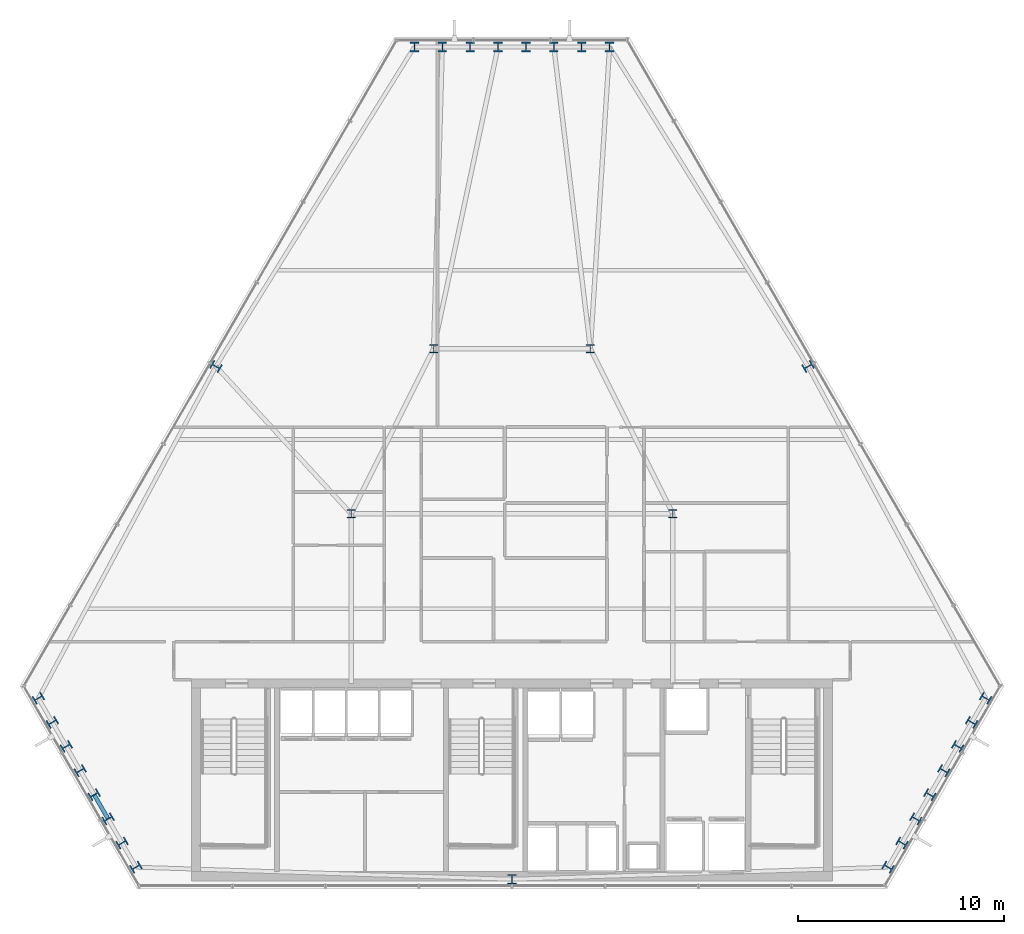
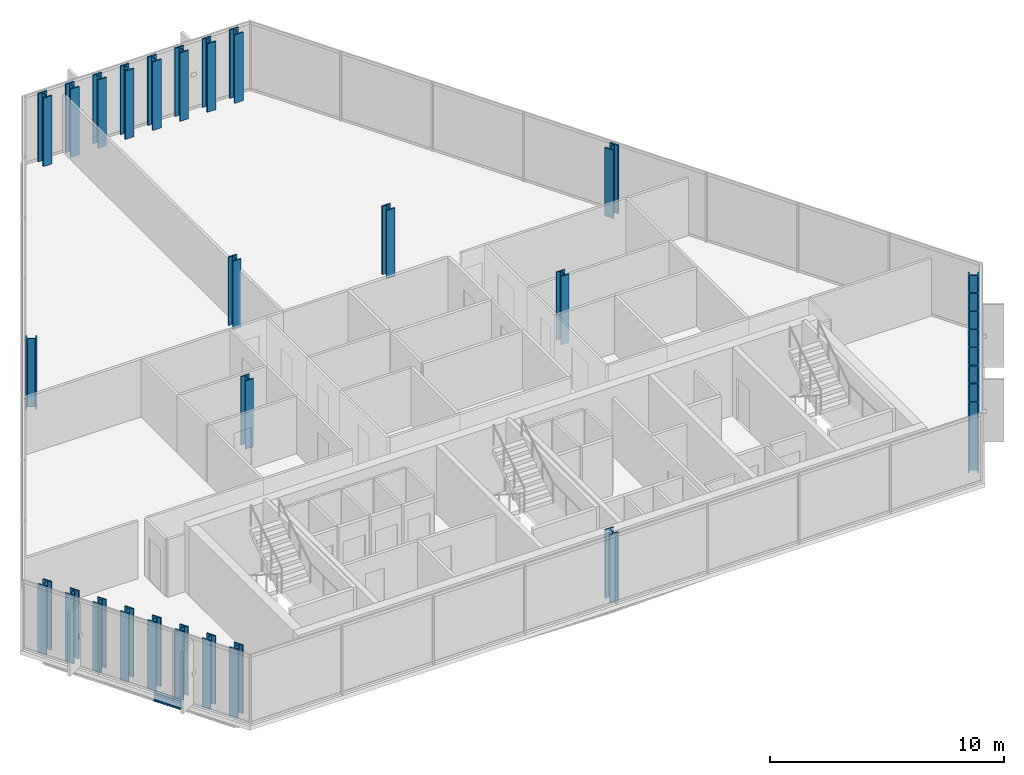
# One storey, part 1 of 33: 31 columns, 1 beam.
"""IFC4 building model written with IfcOpenShell, lengths in metres."""

from ifc_helpers import new_model, si_unit, direction, frame, origin, origin_2d, place, context, subcontext, project, spatial, i_section, extrude, material, material_profile, profile_set, type_object, element, save


model = new_model("IFC4")

# Units and contexts
model_context = context("Model", 3, precision=1e-05, world=origin(), true_north=direction((0.0, 1.0)))
body_context = subcontext(model_context, "Body", "Model", "MODEL_VIEW")
ifc_project = project(units=[si_unit("LENGTHUNIT", "METRE"), si_unit("AREAUNIT", "SQUARE_METRE"), si_unit("VOLUMEUNIT", "CUBIC_METRE"), si_unit("PLANEANGLEUNIT", "RADIAN"), si_unit("MASSUNIT", "GRAM", prefix="KILO")], contexts=[model_context])

# Site, building, storey
site_placement = place(None, origin())
site = spatial("IfcSite", under=ifc_project, at=site_placement, CompositionType="ELEMENT")
building_placement = place(site_placement, origin())
building = spatial("IfcBuilding", under=site, at=building_placement, Name="Ndaravel Arena Tower", CompositionType="ELEMENT")
storey_placement = place(building_placement, frame((0.0, 0.0, 153.60009765625)))
storey = spatial("IfcBuildingStorey", under=building, at=storey_placement, Name="L36", CompositionType="ELEMENT", Elevation=153.60009765625)

# Columns
ifc_material_1 = material(Name="Steel S355", Category="steel")
ifc_material_profile_1 = material_profile(ifc_material_1, i_section(OverallWidth=0.406982421875, OverallDepth=0.4189453125, WebThickness=0.030517578125, FlangeThickness=0.04931640625, FilletRadius=0.01513671875, at=origin_2d()), Name="UC 356x406x393")
ifc_profile_set_1 = profile_set([ifc_material_profile_1], Name="Steel S355")
column_type_1 = type_object("IfcColumnType", Name="COL-INT-UC393", PredefinedType="COLUMN", material=ifc_profile_set_1)
for number, where, z_axis, x_axis, name in (
    (1, (34.199951171875, 23.199951171875, 0.0), (0.0, 0.0, 1.0), (1.0, 0.0, 0.0), "L36 Interior Spine Column IC-01"),
    (2, (49.800048828125, 23.199951171875, 0.0), (0.0, 0.0, 1.0), (1.0, 0.0, 0.0), "L36 Interior Spine Column IC-02"),
    (3, (38.199951171875, 31.199951171875, 0.0), (0.0, 0.0, 1.0), (1.0, 0.0, 0.0), "L36 Interior Spine Column IC-03"),
    (4, (45.800048828125, 31.199951171875, 0.0), (0.0, 0.0, 1.0), (1.0, 0.0, 0.0), "L36 Interior Spine Column IC-04"),
):
    element("IfcColumn", number, at=place(storey_placement, frame(where, z_axis=z_axis, x_axis=x_axis)), inside=storey, type_object=column_type_1, Name=name, PredefinedType="COLUMN", context=body_context, shape_type="SweptSolid", body=[
        extrude(i_section(OverallWidth=0.406982421875, OverallDepth=0.4189453125, WebThickness=0.030517578125, FlangeThickness=0.04931640625, FilletRadius=0.01513671875, at=origin_2d()), origin(), (0.0, 0.0, 1.0), 3.579833984375),
    ])
ifc_material_2 = material(Name="Steel S355", Category="steel")
ifc_material_profile_2 = material_profile(ifc_material_2, i_section(OverallWidth=0.427978515625, OverallDepth=0.48095703125, WebThickness=0.051025390625, FlangeThickness=0.06494140625, FilletRadius=0.014892578125, at=origin_2d()), Name="HD 400x677")
ifc_profile_set_2 = profile_set([ifc_material_profile_2], Name="Steel S355")
column_type_2 = type_object("IfcColumnType", Name="COL-TUBE-HD677", PredefinedType="COLUMN", material=ifc_profile_set_2)
for number, where, z_axis, x_axis, name in (
    (5, (42.0, 5.47998046875, 0.0), (0.0, 0.0, 1.0), (1.0, 0.0, 0.0), "L36 Framed Tube Column TC-01"),
    (6, (60.22900390625, 6.065185546875, 0.0), (0.0, 0.0, 1.0), (0.5, 0.866025403784, 0.0), "L36 Framed Tube Column TC-02"),
    (7, (60.90478515625, 7.236083984375, 0.0), (0.0, 0.0, 1.0), (0.5, 0.866025403784, 0.0), "L36 Framed Tube Column TC-03"),
    (8, (61.580810546875, 8.40673828125, 0.0), (0.0, 0.0, 1.0), (0.5, 0.866025403784, 0.0), "L36 Framed Tube Column TC-04"),
    (9, (62.256591796875, 9.577392578125, 0.0), (0.0, 0.0, 1.0), (0.5, 0.866025403784, 0.0), "L36 Framed Tube Column TC-05"),
    (10, (62.9326171875, 10.748046875, 0.0), (0.0, 0.0, 1.0), (0.5, 0.866025403784, 0.0), "L36 Framed Tube Column TC-06"),
    (11, (63.6083984375, 11.918701171875, 0.0), (0.0, 0.0, 1.0), (0.5, 0.866025403784, 0.0), "L36 Framed Tube Column TC-07"),
    (12, (64.284423828125, 13.08935546875, 0.0), (0.0, 0.0, 1.0), (0.5, 0.866025403784, 0.0), "L36 Framed Tube Column TC-08"),
    (13, (64.960205078125, 14.260009765625, 0.0), (0.0, 0.0, 1.0), (0.5, 0.866025403784, 0.0), "L36 Framed Tube Column TC-09"),
    (14, (56.352783203125, 30.339599609375, 0.0), (0.0, 0.0, 1.0), (-0.5, 0.866025403784, 0.0), "L36 Framed Tube Column TC-10"),
    (15, (46.731201171875, 45.833740234375, 0.0), (0.0, 0.0, 1.0), (1.0, 0.0, 0.0), "L36 Framed Tube Column TC-11"),
    (16, (45.37939453125, 45.833740234375, 0.0), (0.0, 0.0, 1.0), (1.0, 0.0, 0.0), "L36 Framed Tube Column TC-12"),
    (17, (44.027587890625, 45.833740234375, 0.0), (0.0, 0.0, 1.0), (1.0, 0.0, 0.0), "L36 Framed Tube Column TC-13"),
    (18, (42.67578125, 45.833740234375, 0.0), (0.0, 0.0, 1.0), (1.0, 0.0, 0.0), "L36 Framed Tube Column TC-14"),
    (19, (41.32421875, 45.833740234375, 0.0), (0.0, 0.0, 1.0), (1.0, 0.0, 0.0), "L36 Framed Tube Column TC-15"),
    (20, (39.972412109375, 45.833740234375, 0.0), (0.0, 0.0, 1.0), (1.0, 0.0, 0.0), "L36 Framed Tube Column TC-16"),
    (21, (38.62060546875, 45.833740234375, 0.0), (0.0, 0.0, 1.0), (1.0, 0.0, 0.0), "L36 Framed Tube Column TC-17"),
    (22, (37.268798828125, 45.833740234375, 0.0), (0.0, 0.0, 1.0), (1.0, 0.0, 0.0), "L36 Framed Tube Column TC-18"),
    (23, (27.647216796875, 30.339599609375, 0.0), (0.0, 0.0, 1.0), (0.5, 0.866025403784, 0.0), "L36 Framed Tube Column TC-19"),
    (24, (19.039794921875, 14.260009765625, 0.0), (0.0, 0.0, 1.0), (-0.5, 0.866025403784, 0.0), "L36 Framed Tube Column TC-20"),
    (25, (19.715576171875, 13.08935546875, 0.0), (0.0, 0.0, 1.0), (-0.5, 0.866025403784, 0.0), "L36 Framed Tube Column TC-21"),
    (26, (20.3916015625, 11.918701171875, 0.0), (0.0, 0.0, 1.0), (-0.5, 0.866025403784, 0.0), "L36 Framed Tube Column TC-22"),
    (27, (21.0673828125, 10.748046875, 0.0), (0.0, 0.0, 1.0), (-0.5, 0.866025403784, 0.0), "L36 Framed Tube Column TC-23"),
    (28, (21.743408203125, 9.577392578125, 0.0), (0.0, 0.0, 1.0), (-0.5, 0.866025403784, 0.0), "L36 Framed Tube Column TC-24"),
    (29, (22.419189453125, 8.40673828125, 0.0), (0.0, 0.0, 1.0), (-0.5, 0.866025403784, 0.0), "L36 Framed Tube Column TC-25"),
    (30, (23.09521484375, 7.236083984375, 0.0), (0.0, 0.0, 1.0), (-0.5, 0.866025403784, 0.0), "L36 Framed Tube Column TC-26"),
    (31, (23.77099609375, 6.065185546875, 0.0), (0.0, 0.0, 1.0), (-0.5, 0.866025403784, 0.0), "L36 Framed Tube Column TC-27"),
):
    element("IfcColumn", number, at=place(storey_placement, frame(where, z_axis=z_axis, x_axis=x_axis)), inside=storey, type_object=column_type_2, Name=name, PredefinedType="COLUMN", context=body_context, shape_type="SweptSolid", body=[
        extrude(i_section(OverallWidth=0.427978515625, OverallDepth=0.48095703125, WebThickness=0.051025390625, FlangeThickness=0.06494140625, FilletRadius=0.014892578125, at=origin_2d()), origin(), (0.0, 0.0, 1.0), 3.579833984375),
    ])

# Beam
ifc_material_3 = material(Name="Steel S355", Category="steel")
ifc_material_profile_3 = material_profile(ifc_material_3, i_section(OverallWidth=0.18994140625, OverallDepth=0.449951171875, WebThickness=0.009521484375, FlangeThickness=0.0146484375, FilletRadius=0.02099609375, at=origin_2d()), Name="IPE 450")
ifc_profile_set_3 = profile_set([ifc_material_profile_3], Name="Steel S355")
beam_type = type_object("IfcBeamType", Name="BM-SPAN-IPE450", PredefinedType="SPANDREL", material=ifc_profile_set_3)
beam_placement = place(storey_placement, frame((21.743408203125, 9.577392578125, -0.445068359375), z_axis=(0.49994655361, -0.866056258873, 0.0), x_axis=(0.866056258873, 0.49994655361, 0.0)))
element("IfcBeam", 32, at=beam_placement, inside=storey, type_object=beam_type, Name="L36 Perimeter Spandrel Beam SP-24", PredefinedType="SPANDREL", context=body_context, shape_type="SweptSolid", body=[
    extrude(i_section(OverallWidth=0.18994140625, OverallDepth=0.449951171875, WebThickness=0.009521484375, FlangeThickness=0.0146484375, FilletRadius=0.02099609375, at=origin_2d()), origin(), (0.0, 0.0, 1.0), 1.351806640625),
])

save(model, "model.ifc")
